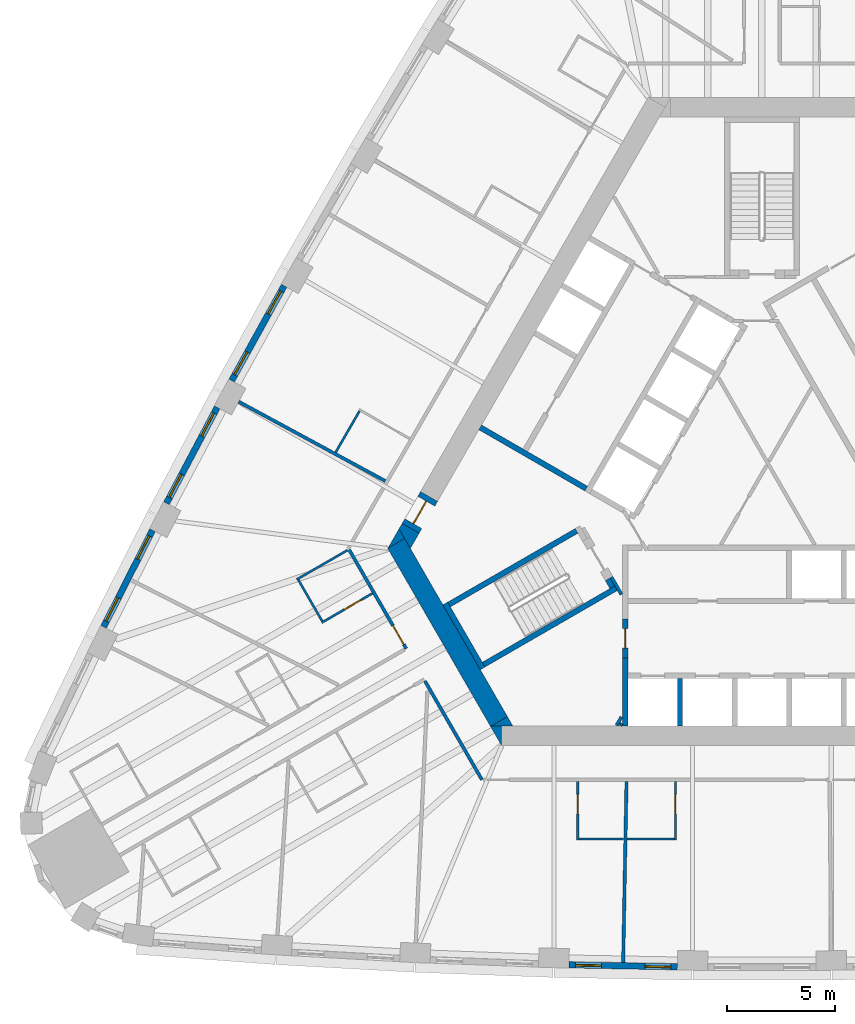
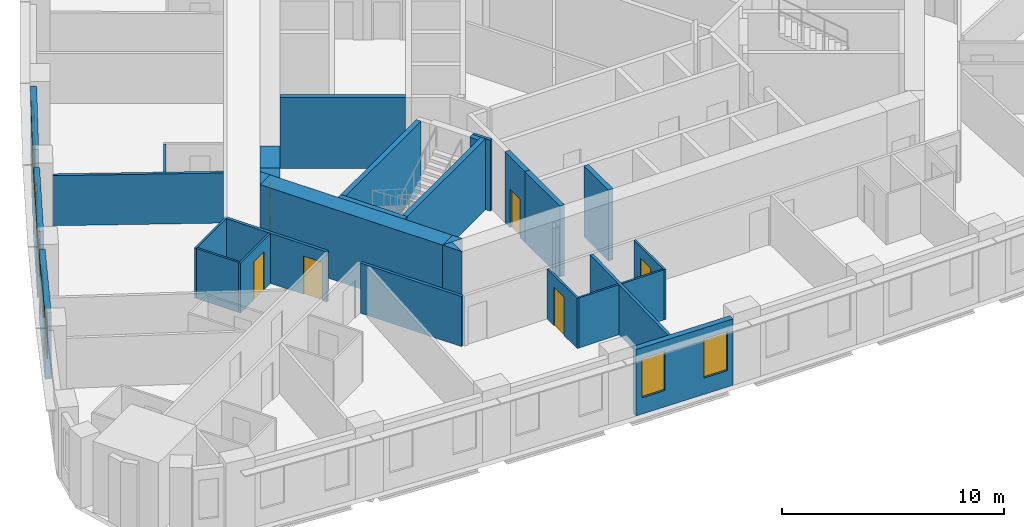
# One storey, part 4 of 13: 33 walls, 8 windows, 6 doors, 14 openings.
"""IFC4 building model written with IfcOpenShell, lengths in metres."""

from ifc_helpers import new_model, si_unit, direction, frame, frame_2d, origin, place, context, subcontext, project, spatial, polyline, rectangle, outline, extrude, material, layer, layer_set, type_object, element, fill, save


model = new_model("IFC4")

# Units and contexts
model_context = context("Model", 3, precision=1e-05, world=origin(), true_north=direction((0.0, 1.0)))
body_context = subcontext(model_context, "Body", "Model", "MODEL_VIEW")
ifc_project = project(units=[si_unit("LENGTHUNIT", "METRE"), si_unit("AREAUNIT", "SQUARE_METRE"), si_unit("VOLUMEUNIT", "CUBIC_METRE"), si_unit("PLANEANGLEUNIT", "RADIAN"), si_unit("MASSUNIT", "GRAM", prefix="KILO")], contexts=[model_context])

# Site, building, storey
site_placement = place(None, origin())
site = spatial("IfcSite", under=ifc_project, at=site_placement, CompositionType="ELEMENT")
building_placement = place(site_placement, origin())
building = spatial("IfcBuilding", under=site, at=building_placement, Name="Mestral Congress Tower", CompositionType="ELEMENT")
storey_placement = place(building_placement, frame((0.0, 0.0, 51.0)))
storey = spatial("IfcBuildingStorey", under=building, at=storey_placement, Name="L11", CompositionType="ELEMENT", Elevation=51.0)

# Walls
ifc_material_1 = material(Name="Fire-rated board partition")
ifc_layer_1 = layer(ifc_material_1, 0.14990234375)
ifc_layer_set_1 = layer_set([ifc_layer_1], Name="Fire-rated board partition")
wall_type_1 = type_object("IfcWallType", Name="Core partition 150", PredefinedType="PARTITIONING", material=ifc_layer_set_1)
wall_1_placement = place(storey_placement, frame((-6.707763671875, -12.068115234375, 0.0), z_axis=(0.0, 0.0, 1.0), x_axis=(0.500000789788, 0.8660249478, 0.0)))
element("IfcWall", 1, at=wall_1_placement, inside=storey, type_object=wall_type_1, Name="L11 core wall", PredefinedType="PARTITIONING", context=body_context, shape_type="SweptSolid", body=[
    extrude(rectangle(XDim=0.45556640625, YDim=0.14990234375, at=frame_2d((0.227783203125, 0.0))), origin(), (0.0, 0.0, 1.0), 2.75),
])
wall_2_placement = place(storey_placement, frame((-6.534423828125, -12.068115234375, 0.0), z_axis=(0.0, 0.0, 1.0), x_axis=(0.500240224089, 0.865886665912, 0.0)))
element("IfcWall", 2, at=wall_2_placement, inside=storey, type_object=wall_type_1, Name="L11 core wall", PredefinedType="PARTITIONING", context=body_context, shape_type="SweptSolid", body=[
    extrude(rectangle(XDim=0.10888671875, YDim=0.14990234375, at=frame_2d((0.054443359375, 0.0))), origin(), (0.0, 0.0, 1.0), 2.75),
])
ifc_material_2 = material(Name="Concrete C60/75", Category="concrete")
ifc_layer_2 = layer(ifc_material_2, 0.89990234375)
ifc_layer_set_2 = layer_set([ifc_layer_2], Name="Concrete C60/75")
wall_type_2 = type_object("IfcWallType", Name="Core wall RC 900", PredefinedType="SOLIDWALL", material=ifc_layer_set_2)
placement = place(storey_placement, origin())
element("IfcWall", 3, at=placement, inside=storey, type_object=wall_type_2, Name="L11 core wall", PredefinedType="SOLIDWALL", context=body_context, shape_type="SweptSolid", body=[
    extrude(outline(polyline([(-12.528564453125, -12.10009765625), (-12.0205078125, -12.10009765625), (-12.0205078125, -12.97998046875), (-12.528564453125, -12.10009765625)])), origin(), (0.0, 0.0, 1.0), 3.89990234375),
])
wall_4_placement = place(storey_placement, frame((-12.134033203125, -11.88330078125, 0.0), z_axis=(0.0, 0.0, 1.0), x_axis=(-0.500005339912, 0.866022320763, 0.0)))
element("IfcWall", 4, at=wall_4_placement, inside=storey, type_object=wall_type_2, Name="L11 core wall", PredefinedType="SOLIDWALL", context=body_context, shape_type="SweptSolid", body=[
    extrude(rectangle(XDim=9.48779296875, YDim=0.89990234375, at=frame_2d((4.743896484375, 0.0))), origin(), (0.0, 0.0, 1.0), 3.89990234375),
])
element("IfcWall", 5, at=placement, inside=storey, type_object=wall_type_2, Name="L11 core wall", PredefinedType="SOLIDWALL", context=body_context, shape_type="SweptSolid", body=[
    extrude(outline(polyline([(-16.4892578125, -3.43994140625), (-17.251220703125, -3.8798828125), (-16.7431640625, -3.0), (-16.4892578125, -3.43994140625)])), origin(), (0.0, 0.0, 1.0), 3.89990234375),
])
element("IfcWall", 6, at=placement, inside=storey, type_object=wall_type_2, Name="L11 core wall", PredefinedType="SOLIDWALL", context=body_context, shape_type="SweptSolid", body=[
    extrude(outline(polyline([(-11.4892578125, -12.10009765625), (-12.50537109375, -12.10009765625), (-11.743408203125, -11.66015625), (-11.4892578125, -12.10009765625)])), origin(), (0.0, 0.0, 1.0), 3.89990234375),
])
element("IfcWall", 7, at=placement, inside=storey, type_object=wall_type_2, Name="L11 core wall", PredefinedType="SOLIDWALL", context=body_context, shape_type="SweptSolid", body=[
    extrude(outline(polyline([(-15.81982421875, -3.20068359375), (-16.223388671875, -3.89990234375), (-16.7431640625, -3.0), (-16.599365234375, -2.750732421875), (-15.81982421875, -3.20068359375)])), origin(), (0.0, 0.0, 1.0), 3.89990234375),
])

# Wall, opening, door
wall_8_placement = place(storey_placement, frame((-16.20947265625, -2.9755859375, 0.0), z_axis=(0.0, 0.0, 1.0), x_axis=(0.499954529098, 0.86605165483, 0.0)))
wall_8 = element("IfcWall", 8, at=wall_8_placement, inside=storey, type_object=wall_type_2, Name="L11 door wall", PredefinedType="SOLIDWALL", context=body_context, shape_type="SweptSolid", body=[
    extrude(rectangle(XDim=1.699951171875, YDim=0.89990234375, at=frame_2d((0.85009765625, 0.0))), origin(), (0.0, 0.0, 1.0), 3.89990234375),
])
opening_1_placement = place(wall_8_placement, frame((0.25, 0.0, 0.0)))
opening_1 = element("IfcOpeningElement", 9, at=opening_1_placement, cuts=wall_8, Name="Opening XD3", PredefinedType="OPENING", context=body_context, shape_type="SweptSolid", body=[
    extrude(rectangle(XDim=1.199951171875, YDim=2.10009765625, at=frame_2d((0.60009765625, 1.050048828125))), frame((0.0, 0.4599609375, 0.0), z_axis=(0.0, -1.0, 0.0), x_axis=(1.0, 0.0, 0.0)), (0.0, 0.0, 1.0), 0.919921875),
])
ifc_material_3 = material(Name="Fire-rated steel door set", Category="steel")
door_type_1 = type_object("IfcDoorType", Name="Core door XD 1200x2100", OperationType="SINGLE_SWING_LEFT", PredefinedType="DOOR", material=ifc_material_3)
door_1_placement = place(opening_1_placement, origin())
door_1 = element("IfcDoor", 10, at=door_1_placement, inside=storey, type_object=door_type_1, Name="Door XD3", OperationType="SINGLE_SWING_LEFT", OverallHeight=2.10009765625, OverallWidth=1.199951171875, PredefinedType="DOOR", context=body_context, shape_type="SweptSolid", body=[
    extrude(rectangle(XDim=1.199951171875, YDim=2.10009765625, at=frame_2d((0.60009765625, 1.050048828125))), frame((0.0, 0.02490234375, 0.0), z_axis=(0.0, -1.0, 0.0), x_axis=(1.0, 0.0, 0.0)), (0.0, 0.0, 1.0), 0.050048828125),
])
fill(opening_1, door_1)

# Wall, openings, windows
ifc_material_4 = material(Name="Precast concrete C40/50 with limestone facing", Category="masonry")
ifc_layer_3 = layer(ifc_material_4, 0.2900390625)
ifc_layer_set_3 = layer_set([ifc_layer_3], Name="Precast concrete C40/50 with limestone facing")
wall_type_3 = type_object("IfcWallType", Name="Facade stone wall 290", PredefinedType="SOLIDWALL", material=ifc_layer_set_3)
wall_9_placement = place(storey_placement, frame((-8.903564453125, -23.11279296875, 0.0), z_axis=(0.0, 0.0, 1.0), x_axis=(0.999829529479, -0.018463801951, 0.0)))
wall_9 = element("IfcWall", 11, at=wall_9_placement, inside=storey, type_object=wall_type_3, Name="Facade wall F0-03", PredefinedType="SOLIDWALL", context=body_context, shape_type="SweptSolid", body=[
    extrude(rectangle(XDim=4.998046875, YDim=0.2900390625, at=frame_2d((2.4990234375, 0.0))), origin(), (0.0, 0.0, 1.0), 3.64990234375),
])
opening_2_placement = place(wall_9_placement, frame((0.297119140625, 0.0, 0.89990234375)))
opening_2 = element("IfcOpeningElement", 12, at=opening_2_placement, cuts=wall_9, Name="Opening W1", PredefinedType="OPENING", context=body_context, shape_type="SweptSolid", body=[
    extrude(rectangle(XDim=1.199951171875, YDim=2.14990234375, at=frame_2d((0.60009765625, 1.074951171875))), frame((0.0, 0.155029296875, 0.0), z_axis=(0.0, -1.0, 0.0), x_axis=(1.0, 0.0, 0.0)), (0.0, 0.0, 1.0), 0.31005859375),
])
opening_3_placement = place(wall_9_placement, frame((3.501220703125, 0.0, 0.89990234375)))
opening_3 = element("IfcOpeningElement", 13, at=opening_3_placement, cuts=wall_9, Name="Opening W1", PredefinedType="OPENING", context=body_context, shape_type="SweptSolid", body=[
    extrude(rectangle(XDim=1.199951171875, YDim=2.14990234375, at=frame_2d((0.60009765625, 1.074951171875))), frame((0.0, 0.155029296875, 0.0), z_axis=(0.0, -1.0, 0.0), x_axis=(1.0, 0.0, 0.0)), (0.0, 0.0, 1.0), 0.31005859375),
])
ifc_material_5 = material(Name="Clear low-emissivity double glazing", Category="glass")
window_type = type_object("IfcWindowType", Name="Facade punched window 1200 x 2150 sill 900", PartitioningType="DOUBLE_PANEL_VERTICAL", PredefinedType="WINDOW", material=ifc_material_5)
window_1_placement = place(opening_2_placement, origin())
window_1 = element("IfcWindow", 14, at=window_1_placement, inside=storey, type_object=window_type, Name="Window F0-03a", OverallHeight=2.14990234375, OverallWidth=1.199951171875, PartitioningType="DOUBLE_PANEL_VERTICAL", PredefinedType="WINDOW", context=body_context, shape_type="SweptSolid", body=[
    extrude(rectangle(XDim=1.199951171875, YDim=2.14990234375, at=frame_2d((0.60009765625, 1.074951171875))), frame((0.0, 0.01513671875, 0.0), z_axis=(0.0, -1.0, 0.0), x_axis=(1.0, 0.0, 0.0)), (0.0, 0.0, 1.0), 0.06005859375),
])
fill(opening_2, window_1)
window_2_placement = place(opening_3_placement, origin())
window_2 = element("IfcWindow", 15, at=window_2_placement, inside=storey, type_object=window_type, Name="Window F0-03b", OverallHeight=2.14990234375, OverallWidth=1.199951171875, PartitioningType="DOUBLE_PANEL_VERTICAL", PredefinedType="WINDOW", context=body_context, shape_type="SweptSolid", body=[
    extrude(rectangle(XDim=1.199951171875, YDim=2.14990234375, at=frame_2d((0.60009765625, 1.074951171875))), frame((0.0, 0.01513671875, 0.0), z_axis=(0.0, -1.0, 0.0), x_axis=(1.0, 0.0, 0.0)), (0.0, 0.0, 1.0), 0.06005859375),
])
fill(opening_3, window_2)

wall_10_placement = place(storey_placement, frame((-22.049560546875, 8.2197265625, 0.0), z_axis=(0.0, 0.0, 1.0), x_axis=(-0.483912572871, -0.875116347589, 0.0)))
wall_10 = element("IfcWall", 16, at=wall_10_placement, inside=storey, type_object=wall_type_3, Name="Facade wall F2-05", PredefinedType="SOLIDWALL", context=body_context, shape_type="SweptSolid", body=[
    extrude(rectangle(XDim=4.998291015625, YDim=0.2900390625, at=frame_2d((2.4990234375, 0.0))), origin(), (0.0, 0.0, 1.0), 3.64990234375),
])
opening_4_placement = place(wall_10_placement, frame((0.297119140625, 0.0, 0.89990234375)))
opening_4 = element("IfcOpeningElement", 17, at=opening_4_placement, cuts=wall_10, Name="Opening W1", PredefinedType="OPENING", context=body_context, shape_type="SweptSolid", body=[
    extrude(rectangle(XDim=1.199951171875, YDim=2.14990234375, at=frame_2d((0.60009765625, 1.074951171875))), frame((0.0, 0.155029296875, 0.0), z_axis=(0.0, -1.0, 0.0), x_axis=(1.0, 0.0, 0.0)), (0.0, 0.0, 1.0), 0.31005859375),
])
opening_5_placement = place(wall_10_placement, frame((3.501220703125, 0.0, 0.89990234375)))
opening_5 = element("IfcOpeningElement", 18, at=opening_5_placement, cuts=wall_10, Name="Opening W1", PredefinedType="OPENING", context=body_context, shape_type="SweptSolid", body=[
    extrude(rectangle(XDim=1.199951171875, YDim=2.14990234375, at=frame_2d((0.60009765625, 1.074951171875))), frame((0.0, 0.155029296875, 0.0), z_axis=(0.0, -1.0, 0.0), x_axis=(1.0, 0.0, 0.0)), (0.0, 0.0, 1.0), 0.31005859375),
])
window_3_placement = place(opening_4_placement, origin())
window_3 = element("IfcWindow", 19, at=window_3_placement, inside=storey, type_object=window_type, Name="Window F2-05a", OverallHeight=2.14990234375, OverallWidth=1.199951171875, PartitioningType="DOUBLE_PANEL_VERTICAL", PredefinedType="WINDOW", context=body_context, shape_type="SweptSolid", body=[
    extrude(rectangle(XDim=1.199951171875, YDim=2.14990234375, at=frame_2d((0.60009765625, 1.074951171875))), frame((0.0, 0.01513671875, 0.0), z_axis=(0.0, -1.0, 0.0), x_axis=(1.0, 0.0, 0.0)), (0.0, 0.0, 1.0), 0.06005859375),
])
fill(opening_4, window_3)
window_4_placement = place(opening_5_placement, origin())
window_4 = element("IfcWindow", 20, at=window_4_placement, inside=storey, type_object=window_type, Name="Window F2-05b", OverallHeight=2.14990234375, OverallWidth=1.199951171875, PartitioningType="DOUBLE_PANEL_VERTICAL", PredefinedType="WINDOW", context=body_context, shape_type="SweptSolid", body=[
    extrude(rectangle(XDim=1.199951171875, YDim=2.14990234375, at=frame_2d((0.60009765625, 1.074951171875))), frame((0.0, 0.01513671875, 0.0), z_axis=(0.0, -1.0, 0.0), x_axis=(1.0, 0.0, 0.0)), (0.0, 0.0, 1.0), 0.06005859375),
])
fill(opening_5, window_4)

wall_11_placement = place(storey_placement, frame((-25.1376953125, 2.60791015625, 0.0), z_axis=(0.0, 0.0, 1.0), x_axis=(-0.467629620899, -0.883924509026, 0.0)))
wall_11 = element("IfcWall", 21, at=wall_11_placement, inside=storey, type_object=wall_type_3, Name="Facade wall F2-06", PredefinedType="SOLIDWALL", context=body_context, shape_type="SweptSolid", body=[
    extrude(rectangle(XDim=4.998291015625, YDim=0.2900390625, at=frame_2d((2.4990234375, 0.0))), origin(), (0.0, 0.0, 1.0), 3.64990234375),
])
opening_6_placement = place(wall_11_placement, frame((0.297119140625, 0.0, 0.89990234375)))
opening_6 = element("IfcOpeningElement", 22, at=opening_6_placement, cuts=wall_11, Name="Opening W1", PredefinedType="OPENING", context=body_context, shape_type="SweptSolid", body=[
    extrude(rectangle(XDim=1.199951171875, YDim=2.14990234375, at=frame_2d((0.60009765625, 1.074951171875))), frame((0.0, 0.155029296875, 0.0), z_axis=(0.0, -1.0, 0.0), x_axis=(1.0, 0.0, 0.0)), (0.0, 0.0, 1.0), 0.31005859375),
])
opening_7_placement = place(wall_11_placement, frame((3.501220703125, 0.0, 0.89990234375)))
opening_7 = element("IfcOpeningElement", 23, at=opening_7_placement, cuts=wall_11, Name="Opening W1", PredefinedType="OPENING", context=body_context, shape_type="SweptSolid", body=[
    extrude(rectangle(XDim=1.199951171875, YDim=2.14990234375, at=frame_2d((0.60009765625, 1.074951171875))), frame((0.0, 0.155029296875, 0.0), z_axis=(0.0, -1.0, 0.0), x_axis=(1.0, 0.0, 0.0)), (0.0, 0.0, 1.0), 0.31005859375),
])
window_5_placement = place(opening_6_placement, origin())
window_5 = element("IfcWindow", 24, at=window_5_placement, inside=storey, type_object=window_type, Name="Window F2-06a", OverallHeight=2.14990234375, OverallWidth=1.199951171875, PartitioningType="DOUBLE_PANEL_VERTICAL", PredefinedType="WINDOW", context=body_context, shape_type="SweptSolid", body=[
    extrude(rectangle(XDim=1.199951171875, YDim=2.14990234375, at=frame_2d((0.60009765625, 1.074951171875))), frame((0.0, 0.01513671875, 0.0), z_axis=(0.0, -1.0, 0.0), x_axis=(1.0, 0.0, 0.0)), (0.0, 0.0, 1.0), 0.06005859375),
])
fill(opening_6, window_5)
window_6_placement = place(opening_7_placement, origin())
window_6 = element("IfcWindow", 25, at=window_6_placement, inside=storey, type_object=window_type, Name="Window F2-06b", OverallHeight=2.14990234375, OverallWidth=1.199951171875, PartitioningType="DOUBLE_PANEL_VERTICAL", PredefinedType="WINDOW", context=body_context, shape_type="SweptSolid", body=[
    extrude(rectangle(XDim=1.199951171875, YDim=2.14990234375, at=frame_2d((0.60009765625, 1.074951171875))), frame((0.0, 0.01513671875, 0.0), z_axis=(0.0, -1.0, 0.0), x_axis=(1.0, 0.0, 0.0)), (0.0, 0.0, 1.0), 0.06005859375),
])
fill(opening_7, window_6)

wall_12_placement = place(storey_placement, frame((-28.12158203125, -3.06005859375, 0.0), z_axis=(0.0, 0.0, 1.0), x_axis=(-0.451233929645, -0.892405704115, 0.0)))
wall_12 = element("IfcWall", 26, at=wall_12_placement, inside=storey, type_object=wall_type_3, Name="Facade wall F2-07", PredefinedType="SOLIDWALL", context=body_context, shape_type="SweptSolid", body=[
    extrude(rectangle(XDim=4.998291015625, YDim=0.2900390625, at=frame_2d((2.4990234375, 0.0))), origin(), (0.0, 0.0, 1.0), 3.64990234375),
])
opening_8_placement = place(wall_12_placement, frame((0.297119140625, 0.0, 0.89990234375)))
opening_8 = element("IfcOpeningElement", 27, at=opening_8_placement, cuts=wall_12, Name="Opening W1", PredefinedType="OPENING", context=body_context, shape_type="SweptSolid", body=[
    extrude(rectangle(XDim=1.199951171875, YDim=2.14990234375, at=frame_2d((0.60009765625, 1.074951171875))), frame((0.0, 0.155029296875, 0.0), z_axis=(0.0, -1.0, 0.0), x_axis=(1.0, 0.0, 0.0)), (0.0, 0.0, 1.0), 0.31005859375),
])
opening_9_placement = place(wall_12_placement, frame((3.501220703125, 0.0, 0.89990234375)))
opening_9 = element("IfcOpeningElement", 28, at=opening_9_placement, cuts=wall_12, Name="Opening W1", PredefinedType="OPENING", context=body_context, shape_type="SweptSolid", body=[
    extrude(rectangle(XDim=1.199951171875, YDim=2.14990234375, at=frame_2d((0.60009765625, 1.074951171875))), frame((0.0, 0.155029296875, 0.0), z_axis=(0.0, -1.0, 0.0), x_axis=(1.0, 0.0, 0.0)), (0.0, 0.0, 1.0), 0.31005859375),
])
window_7_placement = place(opening_8_placement, origin())
window_7 = element("IfcWindow", 29, at=window_7_placement, inside=storey, type_object=window_type, Name="Window F2-07a", OverallHeight=2.14990234375, OverallWidth=1.199951171875, PartitioningType="DOUBLE_PANEL_VERTICAL", PredefinedType="WINDOW", context=body_context, shape_type="SweptSolid", body=[
    extrude(rectangle(XDim=1.199951171875, YDim=2.14990234375, at=frame_2d((0.60009765625, 1.074951171875))), frame((0.0, 0.01513671875, 0.0), z_axis=(0.0, -1.0, 0.0), x_axis=(1.0, 0.0, 0.0)), (0.0, 0.0, 1.0), 0.06005859375),
])
fill(opening_8, window_7)
window_8_placement = place(opening_9_placement, origin())
window_8 = element("IfcWindow", 30, at=window_8_placement, inside=storey, type_object=window_type, Name="Window F2-07b", OverallHeight=2.14990234375, OverallWidth=1.199951171875, PartitioningType="DOUBLE_PANEL_VERTICAL", PredefinedType="WINDOW", context=body_context, shape_type="SweptSolid", body=[
    extrude(rectangle(XDim=1.199951171875, YDim=2.14990234375, at=frame_2d((0.60009765625, 1.074951171875))), frame((0.0, 0.01513671875, 0.0), z_axis=(0.0, -1.0, 0.0), x_axis=(1.0, 0.0, 0.0)), (0.0, 0.0, 1.0), 0.06005859375),
])
fill(opening_9, window_8)

# Wall, opening, door
ifc_material_6 = material(Name="Gypsum board partition on metal studs with mineral wool", Category="composite")
ifc_layer_4 = layer(ifc_material_6, 0.10009765625)
ifc_layer_set_4 = layer_set([ifc_layer_4], Name="Gypsum board partition on metal studs with mineral wool")
wall_type_4 = type_object("IfcWallType", Name="Hotel partition wall 100", PredefinedType="PARTITIONING", material=ifc_layer_set_4)
wall_13_placement = place(storey_placement, frame((-8.501708984375, -14.64990234375, 0.0), z_axis=(0.0, 0.0, 1.0), x_axis=(0.0, -1.0, 0.0)))
wall_13 = element("IfcWall", 31, at=wall_13_placement, inside=storey, type_object=wall_type_4, Name="L11-h-pod03a", PredefinedType="PARTITIONING", context=body_context, shape_type="SweptSolid", body=[
    extrude(rectangle(XDim=2.7001953125, YDim=0.10009765625, at=frame_2d((1.35009765625, 0.0))), origin(), (0.0, 0.0, 1.0), 2.75),
])
opening_10_placement = place(wall_13_placement, frame((0.60009765625, 0.0, 0.0)))
opening_10 = element("IfcOpeningElement", 32, at=opening_10_placement, cuts=wall_13, Name="Opening H03-006", PredefinedType="OPENING", context=body_context, shape_type="SweptSolid", body=[
    extrude(rectangle(XDim=0.89990234375, YDim=2.10009765625, at=frame_2d((0.449951171875, 1.050048828125))), frame((0.0, 0.06005859375, 0.0), z_axis=(0.0, -1.0, 0.0), x_axis=(1.0, 0.0, 0.0)), (0.0, 0.0, 1.0), 0.1201171875),
])
ifc_material_7 = material(Name="Timber veneer door leaf in timber frame", Category="wood")
door_type_2 = type_object("IfcDoorType", Name="Bathroom door 900", OperationType="SINGLE_SWING_LEFT", PredefinedType="DOOR", material=ifc_material_7)
door_2_placement = place(opening_10_placement, origin())
door_2 = element("IfcDoor", 33, at=door_2_placement, inside=storey, type_object=door_type_2, Name="L11-h-d006", OperationType="SINGLE_SWING_RIGHT", OverallHeight=2.10009765625, OverallWidth=0.89990234375, PredefinedType="DOOR", context=body_context, shape_type="SweptSolid", body=[
    extrude(rectangle(XDim=0.89990234375, YDim=2.10009765625, at=frame_2d((0.449951171875, 1.050048828125))), frame((0.0, 0.02490234375, 0.0), z_axis=(0.0, -1.0, 0.0), x_axis=(1.0, 0.0, 0.0)), (0.0, 0.0, 1.0), 0.050048828125),
])
fill(opening_10, door_2)

# Wall
wall_14_placement = place(storey_placement, frame((-8.45166015625, -17.300048828125, 0.0), z_axis=(0.0, 0.0, 1.0), x_axis=(1.0, 0.0, 0.0)))
element("IfcWall", 34, at=wall_14_placement, inside=storey, type_object=wall_type_4, Name="L11-h-pod03b", PredefinedType="PARTITIONING", context=body_context, shape_type="SweptSolid", body=[
    extrude(rectangle(XDim=2.070068359375, YDim=0.10009765625, at=frame_2d((1.03515625, 0.0))), origin(), (0.0, 0.0, 1.0), 2.75),
])

# Wall, opening, door
wall_15_placement = place(storey_placement, frame((-3.994384765625, -17.35009765625, 0.0), z_axis=(0.0, 0.0, 1.0), x_axis=(0.0, 1.0, 0.0)))
wall_15 = element("IfcWall", 35, at=wall_15_placement, inside=storey, type_object=wall_type_4, Name="L11-h-pod04a", PredefinedType="PARTITIONING", context=body_context, shape_type="SweptSolid", body=[
    extrude(rectangle(XDim=2.7001953125, YDim=0.10009765625, at=frame_2d((1.35009765625, 0.0))), origin(), (0.0, 0.0, 1.0), 2.75),
])
opening_11_placement = place(wall_15_placement, frame((1.199951171875, 0.0, 0.0)))
opening_11 = element("IfcOpeningElement", 36, at=opening_11_placement, cuts=wall_15, Name="Opening H03-008", PredefinedType="OPENING", context=body_context, shape_type="SweptSolid", body=[
    extrude(rectangle(XDim=0.89990234375, YDim=2.10009765625, at=frame_2d((0.449951171875, 1.050048828125))), frame((0.0, 0.06005859375, 0.0), z_axis=(0.0, -1.0, 0.0), x_axis=(1.0, 0.0, 0.0)), (0.0, 0.0, 1.0), 0.1201171875),
])
door_3_placement = place(opening_11_placement, origin())
door_3 = element("IfcDoor", 37, at=door_3_placement, inside=storey, type_object=door_type_2, Name="L11-h-d008", OperationType="SINGLE_SWING_LEFT", OverallHeight=2.10009765625, OverallWidth=0.89990234375, PredefinedType="DOOR", context=body_context, shape_type="SweptSolid", body=[
    extrude(rectangle(XDim=0.89990234375, YDim=2.10009765625, at=frame_2d((0.449951171875, 1.050048828125))), frame((0.0, 0.02490234375, 0.0), z_axis=(0.0, -1.0, 0.0), x_axis=(1.0, 0.0, 0.0)), (0.0, 0.0, 1.0), 0.050048828125),
])
fill(opening_11, door_3)

# Walls
wall_16_placement = place(storey_placement, frame((-4.044189453125, -17.300048828125, 0.0), z_axis=(0.0, 0.0, 1.0), x_axis=(-1.0, 0.0, 0.0)))
element("IfcWall", 38, at=wall_16_placement, inside=storey, type_object=wall_type_4, Name="L11-h-pod04b", PredefinedType="PARTITIONING", context=body_context, shape_type="SweptSolid", body=[
    extrude(rectangle(XDim=2.170166015625, YDim=0.10009765625, at=frame_2d((1.0849609375, 0.0))), origin(), (0.0, 0.0, 1.0), 2.75),
])
wall_17_placement = place(storey_placement, frame((-18.5673828125, 2.440673828125, 0.0), z_axis=(0.0, 0.0, 1.0), x_axis=(-0.499946605688, -0.86605622881, 0.0)))
element("IfcWall", 39, at=wall_17_placement, inside=storey, type_object=wall_type_4, Name="L11-h-pod23b", PredefinedType="PARTITIONING", context=body_context, shape_type="SweptSolid", body=[
    extrude(rectangle(XDim=2.199951171875, YDim=0.10009765625, at=frame_2d((1.10009765625, 0.0))), origin(), (0.0, 0.0, 1.0), 2.75),
])

# Wall, opening, door
wall_18_placement = place(storey_placement, frame((-20.3095703125, -7.32275390625, 0.0), z_axis=(0.0, 0.0, 1.0), x_axis=(0.86599734893, 0.500048589285, 0.0)))
wall_18 = element("IfcWall", 40, at=wall_18_placement, inside=storey, type_object=wall_type_4, Name="L11-h-pod24a", PredefinedType="PARTITIONING", context=body_context, shape_type="SweptSolid", body=[
    extrude(rectangle(XDim=2.699951171875, YDim=0.10009765625, at=frame_2d((1.35009765625, 0.0))), origin(), (0.0, 0.0, 1.0), 2.75),
])
opening_12_placement = place(wall_18_placement, frame((1.199951171875, 0.0, 0.0)))
opening_12 = element("IfcOpeningElement", 41, at=opening_12_placement, cuts=wall_18, Name="Opening H03-046", PredefinedType="OPENING", context=body_context, shape_type="SweptSolid", body=[
    extrude(rectangle(XDim=0.89990234375, YDim=2.10009765625, at=frame_2d((0.449951171875, 1.050048828125))), frame((0.0, 0.06005859375, 0.0), z_axis=(0.0, -1.0, 0.0), x_axis=(1.0, 0.0, 0.0)), (0.0, 0.0, 1.0), 0.1201171875),
])
door_4_placement = place(opening_12_placement, origin())
door_4 = element("IfcDoor", 42, at=door_4_placement, inside=storey, type_object=door_type_2, Name="L11-h-d046", OperationType="SINGLE_SWING_RIGHT", OverallHeight=2.10009765625, OverallWidth=0.89990234375, PredefinedType="DOOR", context=body_context, shape_type="SweptSolid", body=[
    extrude(rectangle(XDim=0.89990234375, YDim=2.10009765625, at=frame_2d((0.449951171875, 1.050048828125))), frame((0.0, 0.02490234375, 0.0), z_axis=(0.0, -1.0, 0.0), x_axis=(1.0, 0.0, 0.0)), (0.0, 0.0, 1.0), 0.050048828125),
])
fill(opening_12, door_4)

# Walls
wall_19_placement = place(storey_placement, frame((-20.291259765625, -7.25439453125, 0.0), z_axis=(0.0, 0.0, 1.0), x_axis=(-0.50002983664, 0.866008176907, 0.0)))
element("IfcWall", 43, at=wall_19_placement, inside=storey, type_object=wall_type_4, Name="L11-h-pod24b", PredefinedType="PARTITIONING", context=body_context, shape_type="SweptSolid", body=[
    extrude(rectangle(XDim=2.199951171875, YDim=0.10009765625, at=frame_2d((1.10009765625, 0.0))), origin(), (0.0, 0.0, 1.0), 2.75),
])
wall_20_placement = place(storey_placement, frame((-19.121337890625, -3.980712890625, 0.0), z_axis=(0.0, 0.0, 1.0), x_axis=(-0.866019956843, -0.50000943426, 0.0)))
element("IfcWall", 44, at=wall_20_placement, inside=storey, type_object=wall_type_4, Name="L11-h-pod24c", PredefinedType="PARTITIONING", context=body_context, shape_type="SweptSolid", body=[
    extrude(rectangle(XDim=2.7001953125, YDim=0.10009765625, at=frame_2d((1.35009765625, 0.0))), origin(), (0.0, 0.0, 1.0), 2.75),
])

# Wall, opening, door
ifc_layer_5 = layer(ifc_material_6, 0.14990234375)
ifc_layer_set_5 = layer_set([ifc_layer_5], Name="Gypsum board partition on metal studs with mineral wool")
wall_type_5 = type_object("IfcWallType", Name="Hotel partition wall 150", PredefinedType="PARTITIONING", material=ifc_layer_set_5)
wall_21_placement = place(storey_placement, frame((-16.412353515625, -8.52294921875, 0.0), z_axis=(0.0, 0.0, 1.0), x_axis=(-0.500001929737, 0.866024289647, 0.0)))
wall_21 = element("IfcWall", 45, at=wall_21_placement, inside=storey, type_object=wall_type_5, Name="L11-h-cw09", PredefinedType="PARTITIONING", context=body_context, shape_type="SweptSolid", body=[
    extrude(rectangle(XDim=5.26806640625, YDim=0.14990234375, at=frame_2d((2.634033203125, 0.0))), origin(), (0.0, 0.0, 1.0), 2.75),
])
opening_13_placement = place(wall_21_placement, frame((0.22607421875, 0.0, 0.0)))
opening_13 = element("IfcOpeningElement", 46, at=opening_13_placement, cuts=wall_21, Name="Opening H03-045", PredefinedType="OPENING", context=body_context, shape_type="SweptSolid", body=[
    extrude(rectangle(XDim=1.0, YDim=2.10009765625, at=frame_2d((0.5, 1.050048828125))), frame((0.0, 0.0849609375, 0.0), z_axis=(0.0, -1.0, 0.0), x_axis=(1.0, 0.0, 0.0)), (0.0, 0.0, 1.0), 0.169921875),
])
ifc_material_8 = material(Name="Timber veneer door leaf in metal frame", Category="wood")
door_type_3 = type_object("IfcDoorType", Name="Guest room entrance door 1000", OperationType="SINGLE_SWING_LEFT", PredefinedType="DOOR", material=ifc_material_8)
door_5_placement = place(opening_13_placement, origin())
door_5 = element("IfcDoor", 47, at=door_5_placement, inside=storey, type_object=door_type_3, Name="L11-h-d045", OperationType="SINGLE_SWING_LEFT", OverallHeight=2.10009765625, OverallWidth=1.0, PredefinedType="DOOR", context=body_context, shape_type="SweptSolid", body=[
    extrude(rectangle(XDim=1.0, YDim=2.10009765625, at=frame_2d((0.5, 1.050048828125))), frame((0.0, 0.02490234375, 0.0), z_axis=(0.0, -1.0, 0.0), x_axis=(1.0, 0.0, 0.0)), (0.0, 0.0, 1.0), 0.050048828125),
])
fill(opening_13, door_5)

# Walls
wall_22_placement = place(storey_placement, frame((-12.918212890625, -14.574951171875, 0.0), z_axis=(0.0, 0.0, 1.0), x_axis=(-0.500009150678, 0.866020120573, 0.0)))
element("IfcWall", 48, at=wall_22_placement, inside=storey, type_object=wall_type_5, Name="L11-h-cw12", PredefinedType="PARTITIONING", context=body_context, shape_type="SweptSolid", body=[
    extrude(rectangle(XDim=5.25830078125, YDim=0.14990234375, at=frame_2d((2.629150390625, 0.0))), origin(), (0.0, 0.0, 1.0), 2.75),
])
wall_23_placement = place(storey_placement, frame((-24.14453125, 2.87060546875, 0.0), z_axis=(0.0, 0.0, 1.0), x_axis=(0.879551725039, -0.475803281809, 0.0)))
element("IfcWall", 49, at=wall_23_placement, inside=storey, type_object=wall_type_5, Name="L11-h-pw05", PredefinedType="PARTITIONING", context=body_context, shape_type="SweptSolid", body=[
    extrude(rectangle(XDim=7.68798828125, YDim=0.14990234375, at=frame_2d((3.843994140625, 0.0))), origin(), (0.0, 0.0, 1.0), 2.75),
])
wall_24_placement = place(storey_placement, frame((-6.40234375, -23.013916015625, 0.0), z_axis=(0.0, 0.0, 1.0), x_axis=(0.01849587109, 0.999828936745, 0.0)))
element("IfcWall", 50, at=wall_24_placement, inside=storey, type_object=wall_type_5, Name="L11-h-pw10", PredefinedType="PARTITIONING", context=body_context, shape_type="SweptSolid", body=[
    extrude(rectangle(XDim=8.35546875, YDim=0.14990234375, at=frame_2d((4.177734375, 0.0))), origin(), (0.0, 0.0, 1.0), 2.75),
])
ifc_layer_6 = layer(ifc_material_2, 0.25)
ifc_layer_set_6 = layer_set([ifc_layer_6], Name="Concrete C60/75")
wall_type_6 = type_object("IfcWallType", Name="Shaft wall RC 250", PredefinedType="SOLIDWALL", material=ifc_layer_set_6)
wall_25_placement = place(storey_placement, frame((-3.780029296875, -12.10009765625, 0.0), z_axis=(0.0, 0.0, 1.0), x_axis=(0.0, 1.0, 0.0)))
element("IfcWall", 51, at=wall_25_placement, inside=storey, type_object=wall_type_6, Name="L11 core wall", PredefinedType="SOLIDWALL", context=body_context, shape_type="SweptSolid", body=[
    extrude(rectangle(XDim=2.199951171875, YDim=0.25, at=frame_2d((1.10009765625, 0.0))), origin(), (0.0, 0.0, 1.0), 3.89990234375),
])
wall_26_placement = place(storey_placement, frame((-6.300048828125, -12.10009765625, 0.0), z_axis=(0.0, 0.0, 1.0), x_axis=(0.0, 1.0, 0.0)))
element("IfcWall", 52, at=wall_26_placement, inside=storey, type_object=wall_type_6, Name="L11 core wall", PredefinedType="SOLIDWALL", context=body_context, shape_type="SweptSolid", body=[
    extrude(rectangle(XDim=3.1455078125, YDim=0.25, at=frame_2d((1.57275390625, 0.0))), origin(), (0.0, 0.0, 1.0), 3.89990234375),
])
wall_27_placement = place(storey_placement, frame((-8.10595703125, -1.139892578125, 0.0), z_axis=(0.0, 0.0, 1.0), x_axis=(-0.866000643155, 0.500042884217, 0.0)))
element("IfcWall", 53, at=wall_27_placement, inside=storey, type_object=wall_type_6, Name="L11 core wall", PredefinedType="SOLIDWALL", context=body_context, shape_type="SweptSolid", body=[
    extrude(rectangle(XDim=5.64990234375, YDim=0.25, at=frame_2d((2.824951171875, 0.0))), origin(), (0.0, 0.0, 1.0), 3.89990234375),
])

# Wall, opening, door
wall_28_placement = place(storey_placement, frame((-6.300048828125, -7.154296875, 0.0), z_axis=(0.0, 0.0, 1.0), x_axis=(0.0, -1.0, 0.0)))
wall_28 = element("IfcWall", 54, at=wall_28_placement, inside=storey, type_object=wall_type_6, Name="L11 door wall", PredefinedType="SOLIDWALL", context=body_context, shape_type="SweptSolid", body=[
    extrude(rectangle(XDim=1.800048828125, YDim=0.25, at=frame_2d((0.89990234375, 0.0))), origin(), (0.0, 0.0, 1.0), 3.89990234375),
])
opening_14_placement = place(wall_28_placement, frame((0.449951171875, 0.0, 0.0)))
opening_14 = element("IfcOpeningElement", 55, at=opening_14_placement, cuts=wall_28, Name="Opening TD3", PredefinedType="OPENING", context=body_context, shape_type="SweptSolid", body=[
    extrude(rectangle(XDim=0.89990234375, YDim=2.10009765625, at=frame_2d((0.449951171875, 1.050048828125))), frame((0.0, 0.135009765625, 0.0), z_axis=(0.0, -1.0, 0.0), x_axis=(1.0, 0.0, 0.0)), (0.0, 0.0, 1.0), 0.27001953125),
])
door_type_4 = type_object("IfcDoorType", Name="Core door SR 900x2100", OperationType="SINGLE_SWING_LEFT", PredefinedType="DOOR", material=ifc_material_3)
door_6_placement = place(opening_14_placement, origin())
door_6 = element("IfcDoor", 56, at=door_6_placement, inside=storey, type_object=door_type_4, Name="Door TD3", OperationType="SINGLE_SWING_LEFT", OverallHeight=2.10009765625, OverallWidth=0.89990234375, PredefinedType="DOOR", context=body_context, shape_type="SweptSolid", body=[
    extrude(rectangle(XDim=0.89990234375, YDim=2.10009765625, at=frame_2d((0.449951171875, 1.050048828125))), frame((0.0, 0.02490234375, 0.0), z_axis=(0.0, -1.0, 0.0), x_axis=(1.0, 0.0, 0.0)), (0.0, 0.0, 1.0), 0.050048828125),
])
fill(opening_14, door_6)

# Walls
ifc_layer_7 = layer(ifc_material_2, 0.14990234375)
ifc_layer_set_7 = layer_set([ifc_layer_7], Name="Concrete C60/75")
wall_type_7 = type_object("IfcWallType", Name="Shaft wall RC 250 door-wall 150", PredefinedType="SOLIDWALL", material=ifc_layer_set_7)
wall_29_placement = place(storey_placement, frame((-6.48046875, -6.026611328125, 0.0), z_axis=(0.0, 0.0, 1.0), x_axis=(-0.499927229454, 0.866067413802, 0.0)))
element("IfcWall", 57, at=wall_29_placement, inside=storey, type_object=wall_type_7, Name="L11 core wall", PredefinedType="PARTITIONING", context=body_context, shape_type="SweptSolid", body=[
    extrude(rectangle(XDim=0.928955078125, YDim=0.14990234375, at=frame_2d((0.46435546875, 0.0))), origin(), (0.0, 0.0, 1.0), 3.89990234375),
])
ifc_layer_8 = layer(ifc_material_2, 0.25)
ifc_layer_set_8 = layer_set([ifc_layer_8], Name="Concrete C60/75")
wall_type_8 = type_object("IfcWallType", Name="Stair wall RC 250", PredefinedType="SOLIDWALL", material=ifc_layer_set_8)
wall_30_placement = place(storey_placement, frame((-12.885498046875, -9.431396484375, 0.0), z_axis=(0.0, 0.0, 1.0), x_axis=(-0.500020560727, 0.866013532718, 0.0)))
element("IfcWall", 58, at=wall_30_placement, inside=storey, type_object=wall_type_8, Name="L11 core wall", PredefinedType="SOLIDWALL", context=body_context, shape_type="SweptSolid", body=[
    extrude(rectangle(XDim=3.449951171875, YDim=0.25, at=frame_2d((1.72509765625, 0.0))), origin(), (0.0, 0.0, 1.0), 3.89990234375),
])
wall_31_placement = place(storey_placement, frame((-14.43994140625, -6.489501953125, 0.0), z_axis=(0.0, 0.0, 1.0), x_axis=(0.866022966069, 0.500004222222, 0.0)))
element("IfcWall", 59, at=wall_31_placement, inside=storey, type_object=wall_type_8, Name="L11 core wall", PredefinedType="SOLIDWALL", context=body_context, shape_type="SweptSolid", body=[
    extrude(rectangle(XDim=6.80029296875, YDim=0.25, at=frame_2d((3.400146484375, 0.0))), origin(), (0.0, 0.0, 1.0), 3.89990234375),
])
wall_32_placement = place(storey_placement, frame((-12.83984375, -9.2607421875, 0.0), z_axis=(0.0, 0.0, 1.0), x_axis=(0.866016039709, 0.500016218704, 0.0)))
element("IfcWall", 60, at=wall_32_placement, inside=storey, type_object=wall_type_8, Name="L11 core wall", PredefinedType="SOLIDWALL", context=body_context, shape_type="SweptSolid", body=[
    extrude(rectangle(XDim=7.050048828125, YDim=0.25, at=frame_2d((3.52490234375, 0.0))), origin(), (0.0, 0.0, 1.0), 3.89990234375),
])
wall_33_placement = place(storey_placement, frame((-6.905029296875, -5.68994140625, 0.0), z_axis=(0.0, 0.0, 1.0), x_axis=(-0.500402024738, 0.865793170242, 0.0)))
element("IfcWall", 61, at=wall_33_placement, inside=storey, type_object=wall_type_8, Name="L11 core wall", PredefinedType="SOLIDWALL", context=body_context, shape_type="SweptSolid", body=[
    extrude(rectangle(XDim=0.425048828125, YDim=0.25, at=frame_2d((0.21240234375, 0.0))), origin(), (0.0, 0.0, 1.0), 3.89990234375),
])

save(model, "model.ifc")
